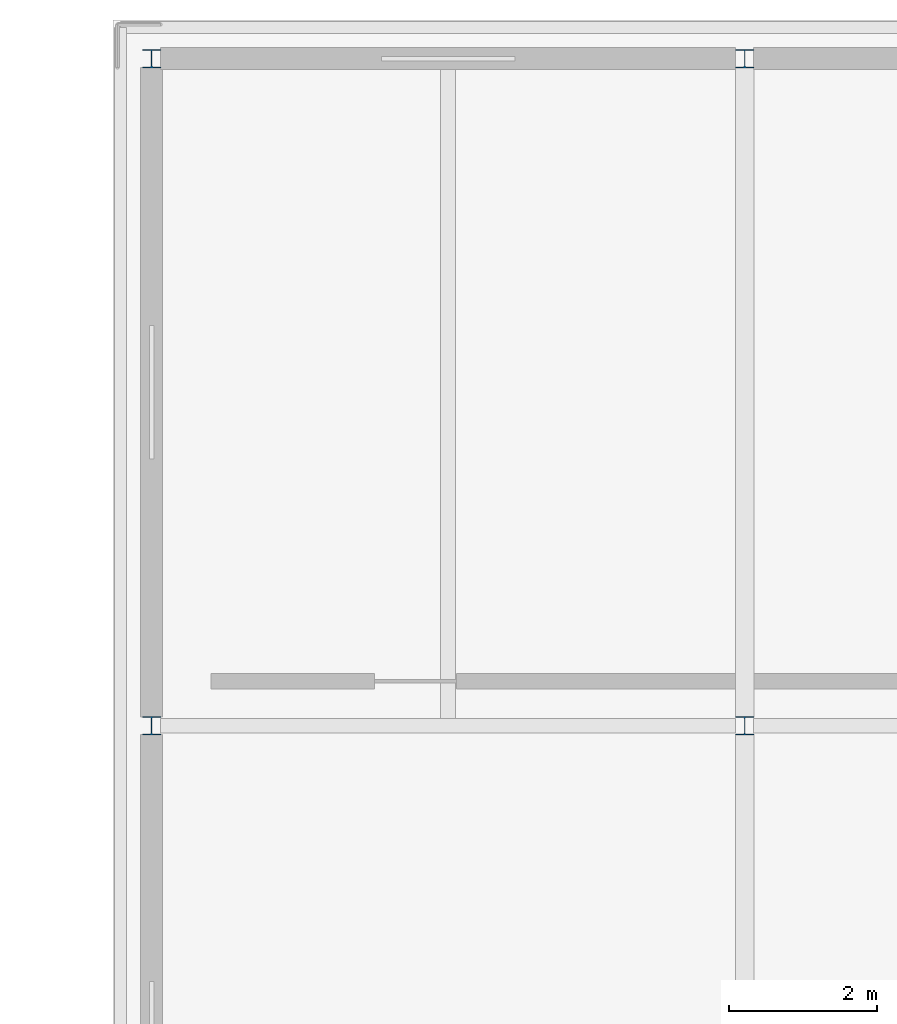
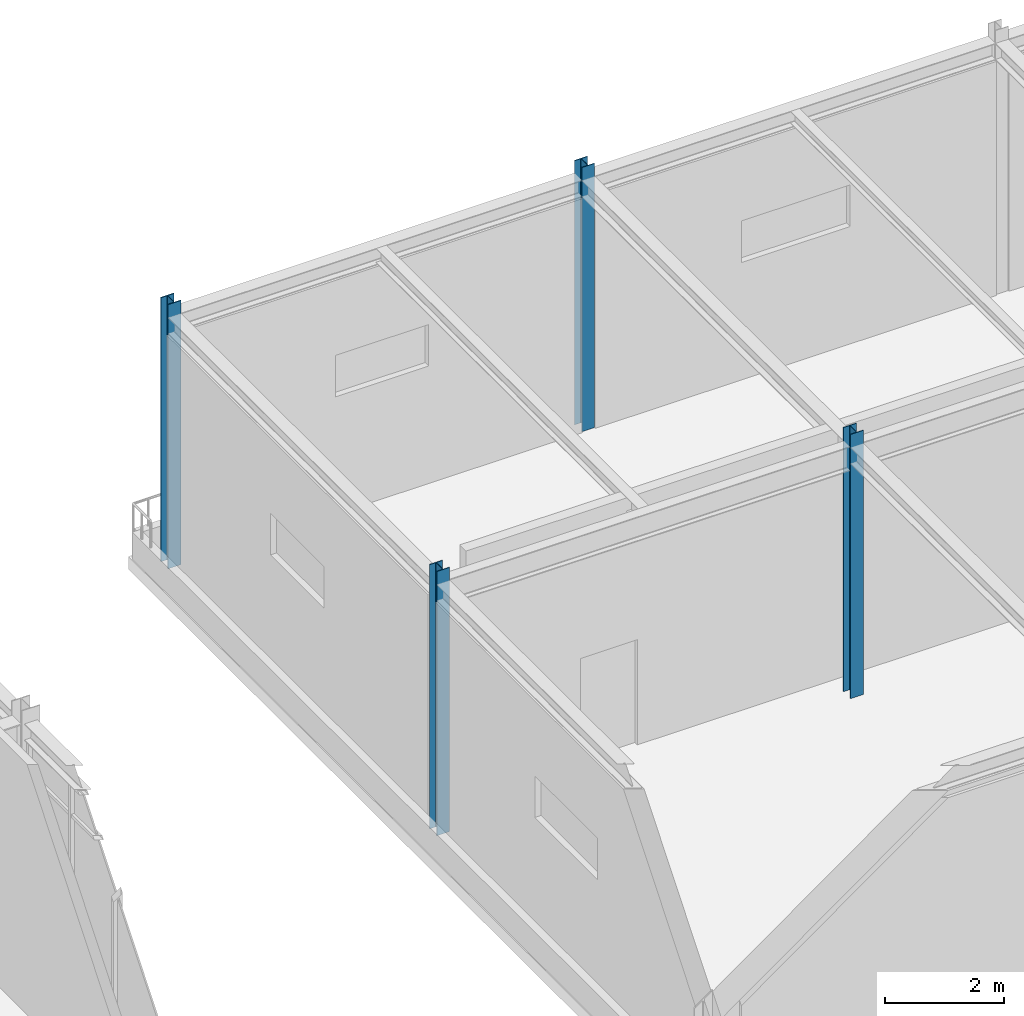
# One storey, part 12 of 108: 4 columns.
"""IFC4 building model written with IfcOpenShell, lengths in metres."""

from ifc_helpers import new_model, si_unit, direction, frame, origin, origin_2d, place, context, subcontext, project, spatial, i_section, extrude, material, material_profile, profile_set, type_object, element, save


model = new_model("IFC4")

# Units and contexts
model_context = context("Model", 3, precision=1e-05, world=origin(), true_north=direction((0.0, 1.0)))
body_context = subcontext(model_context, "Body", "Model", "MODEL_VIEW")
ifc_project = project(units=[si_unit("LENGTHUNIT", "METRE"), si_unit("AREAUNIT", "SQUARE_METRE"), si_unit("VOLUMEUNIT", "CUBIC_METRE"), si_unit("PLANEANGLEUNIT", "RADIAN"), si_unit("MASSUNIT", "GRAM", prefix="KILO")], contexts=[model_context])

# Site, building, storey
site_placement = place(None, origin())
site = spatial("IfcSite", under=ifc_project, at=site_placement, CompositionType="ELEMENT")
building_placement = place(site_placement, origin())
building = spatial("IfcBuilding", under=site, at=building_placement, Name="Zhaolan Boulevard Law Courts", CompositionType="ELEMENT")
storey_placement = place(building_placement, frame((0.0, 0.0, 10.800048828125)))
storey = spatial("IfcBuildingStorey", under=building, at=storey_placement, Name="L02", CompositionType="ELEMENT", Elevation=10.800048828125)

# Columns
ifc_material = material(Name="Structural steel Q355B", Category="steel")
ifc_material_profile = material_profile(ifc_material, i_section(OverallWidth=0.25, OverallDepth=0.25, WebThickness=0.009033203125, FlangeThickness=0.013916015625, FilletRadius=0.01611328125, at=origin_2d()), Name="HW250x250")
ifc_profile_set = profile_set([ifc_material_profile], Name="Structural steel Q355B")
column_type = type_object("IfcColumnType", Name="COL HW250", PredefinedType="COLUMN", material=ifc_profile_set)
for number, where, z_axis, x_axis, name in (
    (1, (52.0, 103.0, 0.0), (0.0, 0.0, 1.0), (1.0, 0.0, 0.0), "Column C-7P (L02)"),
    (2, (52.0, 112.0, 0.0), (0.0, 0.0, 1.0), (1.0, 0.0, 0.0), "Column C-7Q (L02)"),
    (3, (60.0, 103.0, 0.0), (0.0, 0.0, 1.0), (1.0, 0.0, 0.0), "Column C-8P (L02)"),
    (4, (60.0, 112.0, 0.0), (0.0, 0.0, 1.0), (1.0, 0.0, 0.0), "Column C-8Q (L02)"),
):
    element("IfcColumn", number, at=place(storey_placement, frame(where, z_axis=z_axis, x_axis=x_axis)), inside=storey, type_object=column_type, Name=name, PredefinedType="COLUMN", context=body_context, shape_type="SweptSolid", body=[
        extrude(i_section(OverallWidth=0.25, OverallDepth=0.25, WebThickness=0.009033203125, FlangeThickness=0.013916015625, FilletRadius=0.01611328125, at=origin_2d()), origin(), (0.0, 0.0, 1.0), 5.39990234375),
    ])

save(model, "model.ifc")
